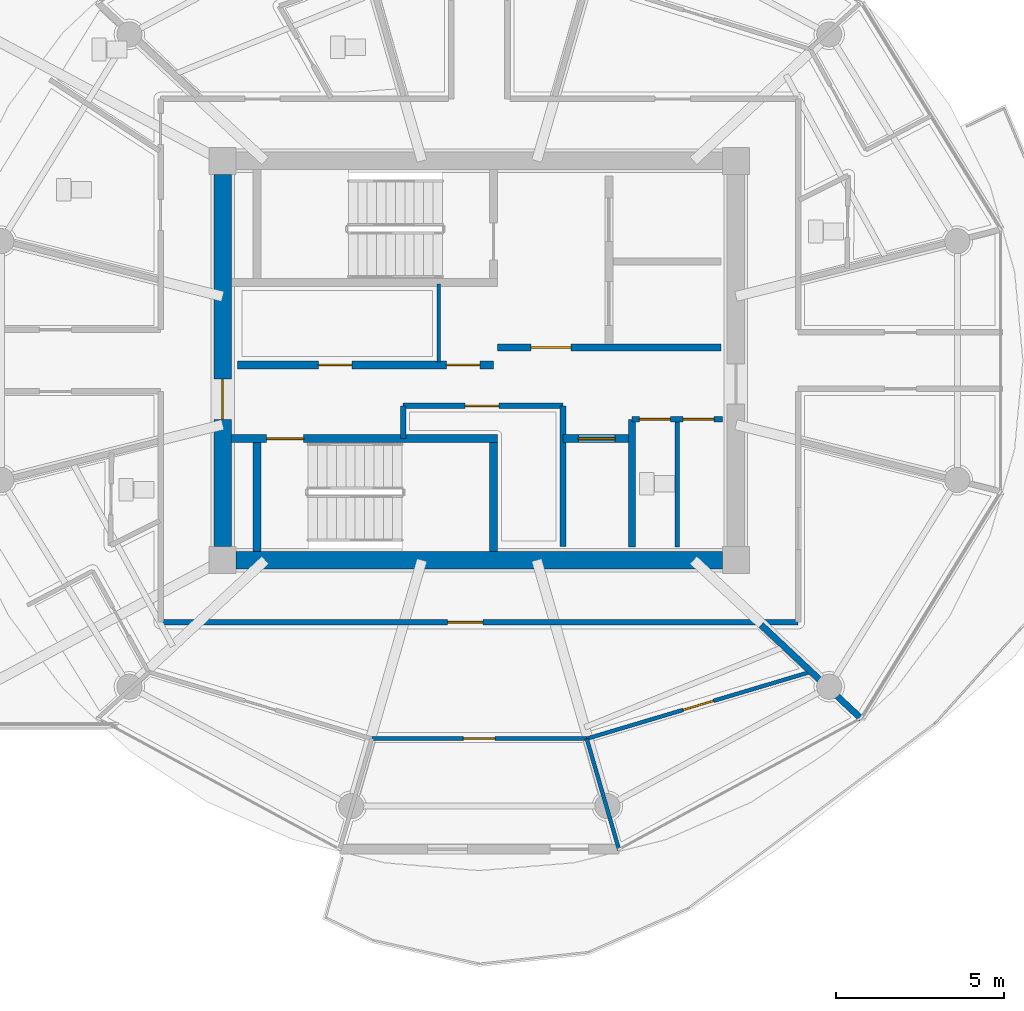
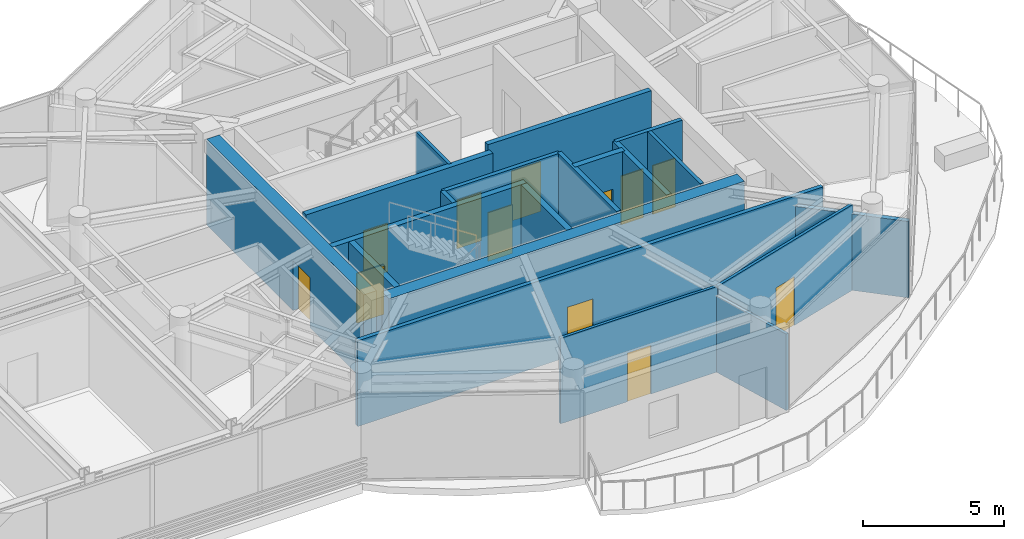
# One storey, part 18 of 31: 20 walls, 12 doors, 12 openings.
"""IFC4 building model written with IfcOpenShell, lengths in metres."""

from ifc_helpers import new_model, si_unit, direction, frame, frame_2d, origin, place, context, subcontext, project, spatial, rectangle, extrude, source, transform, mapped, material, layer, layer_set, type_object, type_shapes, element, fill, save


model = new_model("IFC4")

# Units and contexts
model_context = context("Model", 3, precision=1e-05, world=origin(), true_north=direction((0.0, 1.0)))
body_context = subcontext(model_context, "Body", "Model", "MODEL_VIEW")
ifc_project = project(units=[si_unit("LENGTHUNIT", "METRE"), si_unit("AREAUNIT", "SQUARE_METRE"), si_unit("VOLUMEUNIT", "CUBIC_METRE"), si_unit("PLANEANGLEUNIT", "RADIAN"), si_unit("MASSUNIT", "GRAM", prefix="KILO")], contexts=[model_context])

# Site, building, storey
site_placement = place(None, origin())
site = spatial("IfcSite", under=ifc_project, at=site_placement, CompositionType="ELEMENT")
building_placement = place(site_placement, origin())
building = spatial("IfcBuilding", under=site, at=building_placement, Name="Norrkilde Senior Care Towers", CompositionType="ELEMENT")
storey_placement = place(building_placement, frame((0.0, 0.0, 199.800048828125)))
storey = spatial("IfcBuildingStorey", under=building, at=storey_placement, Name="L62", CompositionType="ELEMENT", Elevation=199.800048828125)

# Wall
ifc_material_1 = material(Name="Concrete C50/60", Category="concrete")
ifc_layer_1 = layer(ifc_material_1, 0.52001953125)
ifc_layer_set_1 = layer_set([ifc_layer_1], Name="Concrete C50/60")
wall_type_1 = type_object("IfcWallType", Name="Core Shear Wall Z4 520", PredefinedType="SHEAR", material=ifc_layer_set_1)
shared_shape_1 = source(origin(), body_context, "Body", "SweptSolid", [
    extrude(rectangle(XDim=14.5, YDim=0.52001953125, at=frame_2d((7.25, 0.0))), origin(), (0.0, 0.0, 1.0), 3.7099609375),
])
wall_1_placement = place(storey_placement, frame((35.25, -5.949951171875, 0.0), z_axis=(0.0, 0.0, 1.0), x_axis=(-1.0, 0.0, 0.0)))
element("IfcWall", 1, at=wall_1_placement, inside=storey, type_object=wall_type_1, Name="L62 Core E South Shear Wall", PredefinedType="SHEAR", context=body_context, shape_type="MappedRepresentation", body=[
    mapped(shared_shape_1, transform((0.0, 0.0, 0.0), x_axis=(1.0, 0.0, 0.0), y_axis=(0.0, 1.0, 0.0), z_axis=(0.0, 0.0, 1.0), scale=1.0)),
])

# Wall, opening, door
shared_shape_2 = source(origin(), body_context, "Body", "SweptSolid", [
    extrude(rectangle(XDim=11.10009765625, YDim=0.52001953125, at=frame_2d((5.550048828125, 0.0))), origin(), (0.0, 0.0, 1.0), 3.7099609375),
])
type_shapes(wall_type_1, [shared_shape_1, shared_shape_2])
wall_2_placement = place(storey_placement, frame((20.35009765625, -5.550048828125, 0.0), z_axis=(0.0, 0.0, 1.0), x_axis=(0.0, 1.0, 0.0)))
wall_2 = element("IfcWall", 2, at=wall_2_placement, inside=storey, type_object=wall_type_1, Name="L62 Core E West Shear Wall", PredefinedType="SHEAR", context=body_context, shape_type="MappedRepresentation", body=[
    mapped(shared_shape_2, transform((0.0, 0.0, 0.0), x_axis=(1.0, 0.0, 0.0), y_axis=(0.0, 1.0, 0.0), z_axis=(0.0, 0.0, 1.0), scale=1.0)),
])
opening_1_placement = place(wall_2_placement, frame((3.800048828125, 0.0, 0.0)))
opening_1 = element("IfcOpeningElement", 3, at=opening_1_placement, cuts=wall_2, Name="Opening D-04", PredefinedType="OPENING", context=body_context, shape_type="SweptSolid", body=[
    extrude(rectangle(XDim=1.199951171875, YDim=2.14990234375, at=frame_2d((0.60009765625, 1.074951171875))), frame((0.0, 0.27001953125, 0.0), z_axis=(0.0, -1.0, 0.0), x_axis=(1.0, 0.0, 0.0)), (0.0, 0.0, 1.0), 0.5400390625),
])
ifc_material_2 = material(Name="Galvanised Painted Steel", Category="steel")
door_type_1 = type_object("IfcDoorType", Name="Firefighting Lobby Fire Door 1200x2150", OperationType="NOTDEFINED", PredefinedType="DOOR", material=ifc_material_2)
shared_shape_3 = source(origin(), body_context, "Body", "SweptSolid", [
    extrude(rectangle(XDim=1.199951171875, YDim=2.14990234375, at=frame_2d((0.60009765625, 1.074951171875))), frame((0.0, 0.02490234375, 0.0), z_axis=(0.0, -1.0, 0.0), x_axis=(1.0, 0.0, 0.0)), (0.0, 0.0, 1.0), 0.050048828125),
])
type_shapes(door_type_1, [shared_shape_3])
door_1_placement = place(opening_1_placement, frame((1.199951171875, 0.0, 0.0), z_axis=(0.0, 0.0, 1.0), x_axis=(-1.0, 0.0, 0.0)))
door_1 = element("IfcDoor", 4, at=door_1_placement, inside=storey, type_object=door_type_1, Name="L62 Core E West Portal Door", OperationType="SINGLE_SWING_LEFT", OverallHeight=2.14990234375, OverallWidth=1.199951171875, PredefinedType="DOOR", context=body_context, shape_type="MappedRepresentation", body=[
    mapped(shared_shape_3, transform((0.0, 0.0, 0.0), x_axis=(1.0, 0.0, 0.0), y_axis=(0.0, 1.0, 0.0), z_axis=(0.0, 0.0, 1.0), scale=1.0)),
])
fill(opening_1, door_1)

ifc_material_3 = material(Name="Concrete C45/55", Category="concrete")
ifc_layer_2 = layer(ifc_material_3, 0.239990234375)
ifc_layer_set_2 = layer_set([ifc_layer_2], Name="Concrete C45/55")
wall_type_2 = type_object("IfcWallType", Name="Shaft and Stair Enclosure Wall 240", PredefinedType="PARTITIONING", material=ifc_layer_set_2)
shared_shape_4 = source(origin(), body_context, "Body", "SweptSolid", [
    extrude(rectangle(XDim=7.929931640625, YDim=0.239990234375, at=frame_2d((3.96484375, 0.0))), origin(), (0.0, 0.0, 1.0), 3.7099609375),
])
wall_3_placement = place(storey_placement, frame((20.610107421875, -2.330078125, 0.0), z_axis=(0.0, 0.0, 1.0), x_axis=(1.0, 0.0, 0.0)))
wall_3 = element("IfcWall", 5, at=wall_3_placement, inside=storey, type_object=wall_type_2, Name="WL-INT-L62-E-ST2N", PredefinedType="PARTITIONING", context=body_context, shape_type="MappedRepresentation", body=[
    mapped(shared_shape_4, transform((0.0, 0.0, 0.0), x_axis=(1.0, 0.0, 0.0), y_axis=(0.0, 1.0, 0.0), z_axis=(0.0, 0.0, 1.0), scale=1.0)),
])
opening_2_placement = place(wall_3_placement, frame((1.050048828125, 0.0, 0.0)))
opening_2 = element("IfcOpeningElement", 6, at=opening_2_placement, cuts=wall_3, Name="Opening D-03", PredefinedType="OPENING", context=body_context, shape_type="SweptSolid", body=[
    extrude(rectangle(XDim=1.10009765625, YDim=2.14990234375, at=frame_2d((0.550048828125, 1.074951171875))), frame((0.0, 0.1298828125, 0.0), z_axis=(0.0, -1.0, 0.0), x_axis=(1.0, 0.0, 0.0)), (0.0, 0.0, 1.0), 0.260009765625),
])
door_type_2 = type_object("IfcDoorType", Name="Stairwell Protected Fire Door 1100x2150", OperationType="NOTDEFINED", PredefinedType="DOOR", material=ifc_material_2)
shared_shape_5 = source(origin(), body_context, "Body", "SweptSolid", [
    extrude(rectangle(XDim=1.10009765625, YDim=2.14990234375, at=frame_2d((0.550048828125, 1.074951171875))), frame((0.0, 0.02490234375, 0.0), z_axis=(0.0, -1.0, 0.0), x_axis=(1.0, 0.0, 0.0)), (0.0, 0.0, 1.0), 0.050048828125),
])
type_shapes(door_type_2, [shared_shape_5])
door_2_placement = place(opening_2_placement, frame((1.10009765625, 0.0, 0.0), z_axis=(0.0, 0.0, 1.0), x_axis=(-1.0, 0.0, 0.0)))
door_2 = element("IfcDoor", 7, at=door_2_placement, inside=storey, type_object=door_type_2, Name="L62 Stair E2 Fire Door", OperationType="SINGLE_SWING_RIGHT", OverallHeight=2.14990234375, OverallWidth=1.10009765625, PredefinedType="DOOR", context=body_context, shape_type="MappedRepresentation", body=[
    mapped(shared_shape_5, transform((0.0, 0.0, 0.0), x_axis=(1.0, 0.0, 0.0), y_axis=(0.0, 1.0, 0.0), z_axis=(0.0, 0.0, 1.0), scale=1.0)),
])
fill(opening_2, door_2)

# Walls
shared_shape_6 = source(origin(), body_context, "Body", "SweptSolid", [
    extrude(rectangle(XDim=3.239990234375, YDim=0.239990234375, at=frame_2d((1.6201171875, 0.0))), origin(), (0.0, 0.0, 1.0), 3.7099609375),
])
type_shapes(wall_type_2, [shared_shape_4, shared_shape_6])
for number, where, z_axis, x_axis, name in (
    (8, (21.3798828125, -5.68994140625, 0.0), (0.0, 0.0, 1.0), (0.0, 1.0, 0.0), "WL-INT-L62-E-ST2W"),
    (9, (28.419921875, -5.68994140625, 0.0), (0.0, 0.0, 1.0), (0.0, 1.0, 0.0), "WL-INT-L62-E-ST2E"),
):
    element("IfcWall", number, at=place(storey_placement, frame(where, z_axis=z_axis, x_axis=x_axis)), inside=storey, type_object=wall_type_2, Name=name, PredefinedType="PARTITIONING", context=body_context, shape_type="MappedRepresentation", body=[
        mapped(shared_shape_6, transform((0.0, 0.0, 0.0), x_axis=(1.0, 0.0, 0.0), y_axis=(0.0, 1.0, 0.0), z_axis=(0.0, 0.0, 1.0), scale=1.0)),
    ])

# Wall, opening, door
ifc_layer_3 = layer(ifc_material_3, 0.2099609375)
ifc_layer_set_3 = layer_set([ifc_layer_3], Name="Concrete C45/55")
wall_type_3 = type_object("IfcWallType", Name="Firefighting Lobby Wall 210", PredefinedType="PARTITIONING", material=ifc_layer_set_3)
shared_shape_7 = source(origin(), body_context, "Body", "SweptSolid", [
    extrude(rectangle(XDim=6.659912109375, YDim=0.2099609375, at=frame_2d((3.330078125, 0.0))), origin(), (0.0, 0.0, 1.0), 3.695068359375),
])
type_shapes(wall_type_3, [shared_shape_7])
wall_4_placement = place(storey_placement, frame((28.5400390625, 0.389892578125, 0.0), z_axis=(0.0, 0.0, 1.0), x_axis=(1.0, 0.0, 0.0)))
wall_4 = element("IfcWall", 10, at=wall_4_placement, inside=storey, type_object=wall_type_3, Name="WL-INT-L62-E-FFLS", PredefinedType="PARTITIONING", context=body_context, shape_type="MappedRepresentation", body=[
    mapped(shared_shape_7, transform((0.0, 0.0, 0.0), x_axis=(1.0, 0.0, 0.0), y_axis=(0.0, 1.0, 0.0), z_axis=(0.0, 0.0, 1.0), scale=1.0)),
])
opening_3_placement = place(wall_4_placement, frame((1.0, 0.0, 0.0)))
opening_3 = element("IfcOpeningElement", 11, at=opening_3_placement, cuts=wall_4, Name="Opening D-04", PredefinedType="OPENING", context=body_context, shape_type="SweptSolid", body=[
    extrude(rectangle(XDim=1.199951171875, YDim=2.14990234375, at=frame_2d((0.60009765625, 1.074951171875))), frame((0.0, 0.114990234375, 0.0), z_axis=(0.0, -1.0, 0.0), x_axis=(1.0, 0.0, 0.0)), (0.0, 0.0, 1.0), 0.22998046875),
])
door_3_placement = place(opening_3_placement, frame((1.199951171875, 0.0, 0.0), z_axis=(0.0, 0.0, 1.0), x_axis=(-1.0, 0.0, 0.0)))
door_3 = element("IfcDoor", 12, at=door_3_placement, inside=storey, type_object=door_type_1, Name="L62 Firefighting Lobby E Door", OperationType="SINGLE_SWING_LEFT", OverallHeight=2.14990234375, OverallWidth=1.199951171875, PredefinedType="DOOR", context=body_context, shape_type="MappedRepresentation", body=[
    mapped(shared_shape_3, transform((0.0, 0.0, 0.0), x_axis=(1.0, 0.0, 0.0), y_axis=(0.0, 1.0, 0.0), z_axis=(0.0, 0.0, 1.0), scale=1.0)),
])
fill(opening_3, door_3)

# Wall, openings, doors
ifc_layer_4 = layer(ifc_material_3, 0.239990234375)
ifc_layer_set_4 = layer_set([ifc_layer_4], Name="Concrete C45/55")
wall_type_4 = type_object("IfcWallType", Name="Lift and Plant Rated Enclosure Partition 240", PredefinedType="PARTITIONING", material=ifc_layer_set_4)
shared_shape_8 = source(origin(), body_context, "Body", "SweptSolid", [
    extrude(rectangle(XDim=7.619873046875, YDim=0.239990234375, at=frame_2d((3.81005859375, 0.0))), origin(), (0.0, 0.0, 1.0), 3.695068359375),
])
wall_5_placement = place(storey_placement, frame((20.800048828125, -0.1298828125, 0.0), z_axis=(0.0, 0.0, 1.0), x_axis=(1.0, 0.0, 0.0)))
wall_5 = element("IfcWall", 13, at=wall_5_placement, inside=storey, type_object=wall_type_4, Name="WL-INT-L62-E-PKAS", PredefinedType="PARTITIONING", context=body_context, shape_type="MappedRepresentation", body=[
    mapped(shared_shape_8, transform((0.0, 0.0, 0.0), x_axis=(1.0, 0.0, 0.0), y_axis=(0.0, 1.0, 0.0), z_axis=(0.0, 0.0, 1.0), scale=1.0)),
])
opening_4_placement = place(wall_5_placement, frame((6.219970703125, 0.0, 0.0)))
opening_4 = element("IfcOpeningElement", 14, at=opening_4_placement, cuts=wall_5, Name="Opening D-10", PredefinedType="OPENING", context=body_context, shape_type="SweptSolid", body=[
    extrude(rectangle(XDim=1.0, YDim=2.10009765625, at=frame_2d((0.5, 1.050048828125))), frame((0.0, 0.1298828125, 0.0), z_axis=(0.0, -1.0, 0.0), x_axis=(1.0, 0.0, 0.0)), (0.0, 0.0, 1.0), 0.260009765625),
])
opening_5_placement = place(wall_5_placement, frame((2.39990234375, 0.0, 0.0)))
opening_5 = element("IfcOpeningElement", 15, at=opening_5_placement, cuts=wall_5, Name="Opening D-10", PredefinedType="OPENING", context=body_context, shape_type="SweptSolid", body=[
    extrude(rectangle(XDim=1.0, YDim=2.10009765625, at=frame_2d((0.5, 1.050048828125))), frame((0.0, 0.1298828125, 0.0), z_axis=(0.0, -1.0, 0.0), x_axis=(1.0, 0.0, 0.0)), (0.0, 0.0, 1.0), 0.260009765625),
])
door_type_3 = type_object("IfcDoorType", Name="Plant and Riser Rated Door 1000x2100", OperationType="NOTDEFINED", PredefinedType="DOOR", material=ifc_material_2)
shared_shape_9 = source(origin(), body_context, "Body", "SweptSolid", [
    extrude(rectangle(XDim=1.0, YDim=2.10009765625, at=frame_2d((0.5, 1.050048828125))), frame((0.0, 0.02490234375, 0.0), z_axis=(0.0, -1.0, 0.0), x_axis=(1.0, 0.0, 0.0)), (0.0, 0.0, 1.0), 0.050048828125),
])
type_shapes(door_type_3, [shared_shape_9])
door_4_placement = place(opening_4_placement, frame((1.0, 0.0, 0.0), z_axis=(0.0, 0.0, 1.0), x_axis=(-1.0, 0.0, 0.0)))
door_4 = element("IfcDoor", 16, at=door_4_placement, inside=storey, type_object=door_type_3, Name="L62 Electrical Riser E Door", OperationType="SINGLE_SWING_LEFT", OverallHeight=2.10009765625, OverallWidth=1.0, PredefinedType="DOOR", context=body_context, shape_type="MappedRepresentation", body=[
    mapped(shared_shape_9, transform((0.0, 0.0, 0.0), x_axis=(1.0, 0.0, 0.0), y_axis=(0.0, 1.0, 0.0), z_axis=(0.0, 0.0, 1.0), scale=1.0)),
])
fill(opening_4, door_4)
door_5_placement = place(opening_5_placement, frame((1.0, 0.0, 0.0), z_axis=(0.0, 0.0, 1.0), x_axis=(-1.0, 0.0, 0.0)))
door_5 = element("IfcDoor", 17, at=door_5_placement, inside=storey, type_object=door_type_3, Name="L62 Clean Supply Store E Door", OperationType="SINGLE_SWING_LEFT", OverallHeight=2.10009765625, OverallWidth=1.0, PredefinedType="DOOR", context=body_context, shape_type="MappedRepresentation", body=[
    mapped(shared_shape_9, transform((0.0, 0.0, 0.0), x_axis=(1.0, 0.0, 0.0), y_axis=(0.0, 1.0, 0.0), z_axis=(0.0, 0.0, 1.0), scale=1.0)),
])
fill(opening_5, door_5)

# Walls
ifc_material_4 = material(Name="Gypsum Acoustic Board")
ifc_layer_5 = layer(ifc_material_4, 0.114990234375)
ifc_layer_set_5 = layer_set([ifc_layer_5], Name="Gypsum Acoustic Board")
wall_type_5 = type_object("IfcWallType", Name="Internal Room Partition 115", PredefinedType="PARTITIONING", material=ifc_layer_set_5)
shared_shape_10 = source(origin(), body_context, "Body", "SweptSolid", [
    extrude(rectangle(XDim=2.330078125, YDim=0.114990234375, at=frame_2d((1.1650390625, 0.0))), origin(), (0.0, 0.0, 1.0), 3.695068359375),
])
wall_6_placement = place(storey_placement, frame((26.7900390625, -0.050048828125, 0.0), z_axis=(0.0, 0.0, 1.0), x_axis=(0.0, 1.0, 0.0)))
element("IfcWall", 18, at=wall_6_placement, inside=storey, type_object=wall_type_5, Name="WL-INT-L62-E-RISW", PredefinedType="PARTITIONING", context=body_context, shape_type="MappedRepresentation", body=[
    mapped(shared_shape_10, transform((0.0, 0.0, 0.0), x_axis=(1.0, 0.0, 0.0), y_axis=(0.0, 1.0, 0.0), z_axis=(0.0, 0.0, 1.0), scale=1.0)),
])
ifc_layer_6 = layer(ifc_material_3, 0.199951171875)
ifc_layer_set_6 = layer_set([ifc_layer_6], Name="Concrete C45/55")
wall_type_6 = type_object("IfcWallType", Name="Shaft Division and Plant Partition 200", PredefinedType="PARTITIONING", material=ifc_layer_set_6)
shared_shape_11 = source(origin(), body_context, "Body", "SweptSolid", [
    extrude(rectangle(XDim=3.800048828125, YDim=0.199951171875, at=frame_2d((1.89990234375, 0.0))), origin(), (0.0, 0.0, 1.0), 3.695068359375),
])
type_shapes(wall_type_6, [shared_shape_11])
wall_7_placement = place(storey_placement, frame((32.550048828125, -5.550048828125, 0.0), z_axis=(0.0, 0.0, 1.0), x_axis=(0.0, 1.0, 0.0)))
element("IfcWall", 19, at=wall_7_placement, inside=storey, type_object=wall_type_6, Name="WL-INT-L62-E-PKBE", PredefinedType="PARTITIONING", context=body_context, shape_type="MappedRepresentation", body=[
    mapped(shared_shape_11, transform((0.0, 0.0, 0.0), x_axis=(1.0, 0.0, 0.0), y_axis=(0.0, 1.0, 0.0), z_axis=(0.0, 0.0, 1.0), scale=1.0)),
])

# Wall, opening, door
shared_shape_12 = source(origin(), body_context, "Body", "SweptSolid", [
    extrude(rectangle(XDim=2.050048828125, YDim=0.239990234375, at=frame_2d((1.02490234375, 0.0))), origin(), (0.0, 0.0, 1.0), 3.695068359375),
])
type_shapes(wall_type_4, [shared_shape_8, shared_shape_12])
wall_8_placement = place(storey_placement, frame((30.5, -2.330078125, 0.0), z_axis=(0.0, 0.0, 1.0), x_axis=(1.0, 0.0, 0.0)))
wall_8 = element("IfcWall", 20, at=wall_8_placement, inside=storey, type_object=wall_type_4, Name="WL-INT-L62-E-PL4N", PredefinedType="PARTITIONING", context=body_context, shape_type="MappedRepresentation", body=[
    mapped(shared_shape_12, transform((0.0, 0.0, 0.0), x_axis=(1.0, 0.0, 0.0), y_axis=(0.0, 1.0, 0.0), z_axis=(0.0, 0.0, 1.0), scale=1.0)),
])
opening_6_placement = place(wall_8_placement, frame((0.449951171875, 0.0, 0.0)))
opening_6 = element("IfcOpeningElement", 21, at=opening_6_placement, cuts=wall_8, Name="Opening LD-01", PredefinedType="OPENING", context=body_context, shape_type="SweptSolid", body=[
    extrude(rectangle(XDim=1.10009765625, YDim=2.199951171875, at=frame_2d((0.550048828125, 1.10009765625))), frame((0.0, 0.1298828125, 0.0), z_axis=(0.0, -1.0, 0.0), x_axis=(1.0, 0.0, 0.0)), (0.0, 0.0, 1.0), 0.260009765625),
])
ifc_material_5 = material(Name="Stainless Steel", Category="steel")
door_type_4 = type_object("IfcDoorType", Name="Lift Landing Sliding Door 1100x2200", OperationType="NOTDEFINED", PredefinedType="DOOR", material=ifc_material_5)
shared_shape_13 = source(origin(), body_context, "Body", "SweptSolid", [
    extrude(rectangle(XDim=1.10009765625, YDim=2.199951171875, at=frame_2d((0.550048828125, 1.10009765625))), frame((0.0, 0.02490234375, 0.0), z_axis=(0.0, -1.0, 0.0), x_axis=(1.0, 0.0, 0.0)), (0.0, 0.0, 1.0), 0.050048828125),
])
type_shapes(door_type_4, [shared_shape_13])
door_6_placement = place(opening_6_placement, frame((1.10009765625, 0.0, 0.0), z_axis=(0.0, 0.0, 1.0), x_axis=(-1.0, 0.0, 0.0)))
door_6 = element("IfcDoor", 22, at=door_6_placement, inside=storey, type_object=door_type_4, Name="L62 Passenger Lift E4 Landing Door", OperationType="SLIDING_TO_RIGHT", OverallHeight=2.199951171875, OverallWidth=1.10009765625, PredefinedType="DOOR", context=body_context, shape_type="MappedRepresentation", body=[
    mapped(shared_shape_13, transform((0.0, 0.0, 0.0), x_axis=(1.0, 0.0, 0.0), y_axis=(0.0, 1.0, 0.0), z_axis=(0.0, 0.0, 1.0), scale=1.0)),
])
fill(opening_6, door_6)

# Wall
ifc_layer_7 = layer(ifc_material_3, 0.179931640625)
ifc_layer_set_7 = layer_set([ifc_layer_7], Name="Concrete C45/55")
wall_type_7 = type_object("IfcWallType", Name="Hoistway Division Rated Partition 180", PredefinedType="PARTITIONING", material=ifc_layer_set_7)
shared_shape_14 = source(origin(), body_context, "Body", "SweptSolid", [
    extrude(rectangle(XDim=4.199951171875, YDim=0.179931640625, at=frame_2d((2.10009765625, 0.0))), origin(), (0.0, 0.0, 1.0), 3.695068359375),
])
type_shapes(wall_type_7, [shared_shape_14])
wall_9_placement = place(storey_placement, frame((30.5, -5.550048828125, 0.0), z_axis=(0.0, 0.0, 1.0), x_axis=(0.0, 1.0, 0.0)))
element("IfcWall", 23, at=wall_9_placement, inside=storey, type_object=wall_type_7, Name="WL-INT-L62-E-PL4W", PredefinedType="PARTITIONING", context=body_context, shape_type="MappedRepresentation", body=[
    mapped(shared_shape_14, transform((0.0, 0.0, 0.0), x_axis=(1.0, 0.0, 0.0), y_axis=(0.0, 1.0, 0.0), z_axis=(0.0, 0.0, 1.0), scale=1.0)),
])

# Wall, opening, door
ifc_layer_8 = layer(ifc_material_4, 0.1650390625)
ifc_layer_set_8 = layer_set([ifc_layer_8], Name="Gypsum Acoustic Board")
wall_type_8 = type_object("IfcWallType", Name="Corridor Rated Partition 165", PredefinedType="PARTITIONING", material=ifc_layer_set_8)
shared_shape_15 = source(origin(), body_context, "Body", "SweptSolid", [
    extrude(rectangle(XDim=4.77001953125, YDim=0.1650390625, at=frame_2d((2.385009765625, 0.0))), origin(), (0.0, 0.0, 1.0), 3.695068359375),
])
wall_10_placement = place(storey_placement, frame((25.72998046875, -1.35009765625, 0.0), z_axis=(0.0, 0.0, 1.0), x_axis=(1.0, 0.0, 0.0)))
wall_10 = element("IfcWall", 24, at=wall_10_placement, inside=storey, type_object=wall_type_8, Name="WL-INT-L62-E-FR2N", PredefinedType="PARTITIONING", context=body_context, shape_type="MappedRepresentation", body=[
    mapped(shared_shape_15, transform((0.0, 0.0, 0.0), x_axis=(1.0, 0.0, 0.0), y_axis=(0.0, 1.0, 0.0), z_axis=(0.0, 0.0, 1.0), scale=1.0)),
])
opening_7_placement = place(wall_10_placement, frame((1.85009765625, 0.0, 0.0)))
opening_7 = element("IfcOpeningElement", 25, at=opening_7_placement, cuts=wall_10, Name="Opening D-10", PredefinedType="OPENING", context=body_context, shape_type="SweptSolid", body=[
    extrude(rectangle(XDim=1.0, YDim=2.10009765625, at=frame_2d((0.5, 1.050048828125))), frame((0.0, 0.092529296875, 0.0), z_axis=(0.0, -1.0, 0.0), x_axis=(1.0, 0.0, 0.0)), (0.0, 0.0, 1.0), 0.18505859375),
])
door_7_placement = place(opening_7_placement, origin())
door_7 = element("IfcDoor", 26, at=door_7_placement, inside=storey, type_object=door_type_3, Name="L62 Core Pantry E Door", OperationType="SINGLE_SWING_RIGHT", OverallHeight=2.10009765625, OverallWidth=1.0, PredefinedType="DOOR", context=body_context, shape_type="MappedRepresentation", body=[
    mapped(shared_shape_9, transform((0.0, 0.0, 0.0), x_axis=(1.0, 0.0, 0.0), y_axis=(0.0, 1.0, 0.0), z_axis=(0.0, 0.0, 1.0), scale=1.0)),
])
fill(opening_7, door_7)

# Wall
shared_shape_16 = source(origin(), body_context, "Body", "SweptSolid", [
    extrude(rectangle(XDim=0.97998046875, YDim=0.1650390625, at=frame_2d((0.489990234375, 0.0))), origin(), (0.0, 0.0, 1.0), 3.695068359375),
])
wall_11_placement = place(storey_placement, frame((25.72998046875, -2.330078125, 0.0), z_axis=(0.0, 0.0, 1.0), x_axis=(0.0, 1.0, 0.0)))
element("IfcWall", 27, at=wall_11_placement, inside=storey, type_object=wall_type_8, Name="WL-INT-L62-E-FR2W", PredefinedType="PARTITIONING", context=body_context, shape_type="MappedRepresentation", body=[
    mapped(shared_shape_16, transform((0.0, 0.0, 0.0), x_axis=(1.0, 0.0, 0.0), y_axis=(0.0, 1.0, 0.0), z_axis=(0.0, 0.0, 1.0), scale=1.0)),
])

# Wall, openings, doors
shared_shape_17 = source(origin(), body_context, "Body", "SweptSolid", [
    extrude(rectangle(XDim=2.699951171875, YDim=0.1650390625, at=frame_2d((1.35009765625, 0.0))), origin(), (0.0, 0.0, 1.0), 3.695068359375),
])
wall_12_placement = place(storey_placement, frame((32.550048828125, -1.75, 0.0), z_axis=(0.0, 0.0, 1.0), x_axis=(1.0, 0.0, 0.0)))
wall_12 = element("IfcWall", 28, at=wall_12_placement, inside=storey, type_object=wall_type_8, Name="WL-INT-L62-E-CSN", PredefinedType="PARTITIONING", context=body_context, shape_type="MappedRepresentation", body=[
    mapped(shared_shape_17, transform((0.0, 0.0, 0.0), x_axis=(1.0, 0.0, 0.0), y_axis=(0.0, 1.0, 0.0), z_axis=(0.0, 0.0, 1.0), scale=1.0)),
])
opening_8_placement = place(wall_12_placement, frame((0.222412109375, 0.0, 0.0)))
opening_8 = element("IfcOpeningElement", 29, at=opening_8_placement, cuts=wall_12, Name="Opening D-12", PredefinedType="OPENING", context=body_context, shape_type="SweptSolid", body=[
    extrude(rectangle(XDim=0.925048828125, YDim=2.10009765625, at=frame_2d((0.46240234375, 1.050048828125))), frame((0.0, 0.092529296875, 0.0), z_axis=(0.0, -1.0, 0.0), x_axis=(1.0, 0.0, 0.0)), (0.0, 0.0, 1.0), 0.18505859375),
])
opening_9_placement = place(wall_12_placement, frame((1.5224609375, 0.0, 0.0)))
opening_9 = element("IfcOpeningElement", 30, at=opening_9_placement, cuts=wall_12, Name="Opening D-12", PredefinedType="OPENING", context=body_context, shape_type="SweptSolid", body=[
    extrude(rectangle(XDim=0.925048828125, YDim=2.10009765625, at=frame_2d((0.46240234375, 1.050048828125))), frame((0.0, 0.092529296875, 0.0), z_axis=(0.0, -1.0, 0.0), x_axis=(1.0, 0.0, 0.0)), (0.0, 0.0, 1.0), 0.18505859375),
])
door_type_5 = type_object("IfcDoorType", Name="Core Wet Room Rated Door 925x2100", OperationType="NOTDEFINED", PredefinedType="DOOR", material=ifc_material_2)
shared_shape_18 = source(origin(), body_context, "Body", "SweptSolid", [
    extrude(rectangle(XDim=0.925048828125, YDim=2.10009765625, at=frame_2d((0.46240234375, 1.050048828125))), frame((0.0, 0.02490234375, 0.0), z_axis=(0.0, -1.0, 0.0), x_axis=(1.0, 0.0, 0.0)), (0.0, 0.0, 1.0), 0.050048828125),
])
type_shapes(door_type_5, [shared_shape_18])
door_8_placement = place(opening_8_placement, origin())
door_8 = element("IfcDoor", 31, at=door_8_placement, inside=storey, type_object=door_type_5, Name="L62 Staff Accessible WC E Door", OperationType="SINGLE_SWING_LEFT", OverallHeight=2.10009765625, OverallWidth=0.925048828125, PredefinedType="DOOR", context=body_context, shape_type="MappedRepresentation", body=[
    mapped(shared_shape_18, transform((0.0, 0.0, 0.0), x_axis=(1.0, 0.0, 0.0), y_axis=(0.0, 1.0, 0.0), z_axis=(0.0, 0.0, 1.0), scale=1.0)),
])
fill(opening_8, door_8)
door_9_placement = place(opening_9_placement, origin())
door_9 = element("IfcDoor", 32, at=door_9_placement, inside=storey, type_object=door_type_5, Name="L62 Housekeeping Store E Door", OperationType="SINGLE_SWING_RIGHT", OverallHeight=2.10009765625, OverallWidth=0.925048828125, PredefinedType="DOOR", context=body_context, shape_type="MappedRepresentation", body=[
    mapped(shared_shape_18, transform((0.0, 0.0, 0.0), x_axis=(1.0, 0.0, 0.0), y_axis=(0.0, 1.0, 0.0), z_axis=(0.0, 0.0, 1.0), scale=1.0)),
])
fill(opening_9, door_9)

# Wall
ifc_layer_9 = layer(ifc_material_4, 0.139892578125)
ifc_layer_set_9 = layer_set([ifc_layer_9], Name="Gypsum Acoustic Board")
wall_type_9 = type_object("IfcWallType", Name="En-suite Wet Room Wall 140", PredefinedType="PARTITIONING", material=ifc_layer_set_9)
shared_shape_19 = source(origin(), body_context, "Body", "SweptSolid", [
    extrude(rectangle(XDim=3.800048828125, YDim=0.139892578125, at=frame_2d((1.89990234375, 0.0))), origin(), (0.0, 0.0, 1.0), 3.695068359375),
])
type_shapes(wall_type_9, [shared_shape_19])
wall_13_placement = place(storey_placement, frame((33.89990234375, -5.550048828125, 0.0), z_axis=(0.0, 0.0, 1.0), x_axis=(0.0, 1.0, 0.0)))
element("IfcWall", 33, at=wall_13_placement, inside=storey, type_object=wall_type_9, Name="WL-INT-L62-E-CS1V", PredefinedType="PARTITIONING", context=body_context, shape_type="MappedRepresentation", body=[
    mapped(shared_shape_19, transform((0.0, 0.0, 0.0), x_axis=(1.0, 0.0, 0.0), y_axis=(0.0, 1.0, 0.0), z_axis=(0.0, 0.0, 1.0), scale=1.0)),
])

# Wall, opening, door
shared_shape_20 = source(origin(), body_context, "Body", "SweptSolid", [
    extrude(rectangle(XDim=19.0, YDim=0.1650390625, at=frame_2d((9.5, 0.0))), origin(), (0.0, 0.0, 1.0), 3.695068359375),
])
type_shapes(wall_type_8, [shared_shape_15, shared_shape_16, shared_shape_17, shared_shape_20])
wall_14_placement = place(storey_placement, frame((37.5, -7.800048828125, 0.0), z_axis=(0.0, 0.0, 1.0), x_axis=(-1.0, 0.0, 0.0)))
wall_14 = element("IfcWall", 34, at=wall_14_placement, inside=storey, type_object=wall_type_8, Name="WL-INT-L62-E-CRW-S-0", PredefinedType="PARTITIONING", context=body_context, shape_type="MappedRepresentation", body=[
    mapped(shared_shape_20, transform((0.0, 0.0, 0.0), x_axis=(1.0, 0.0, 0.0), y_axis=(0.0, 1.0, 0.0), z_axis=(0.0, 0.0, 1.0), scale=1.0)),
])
opening_10_placement = place(wall_14_placement, frame((9.39208984375, 0.0, 0.0)))
opening_10 = element("IfcOpeningElement", 35, at=opening_10_placement, cuts=wall_14, Name="Opening D-06", PredefinedType="OPENING", context=body_context, shape_type="SweptSolid", body=[
    extrude(rectangle(XDim=1.050048828125, YDim=2.14990234375, at=frame_2d((0.52490234375, 1.074951171875))), frame((0.0, 0.092529296875, 0.0), z_axis=(0.0, -1.0, 0.0), x_axis=(1.0, 0.0, 0.0)), (0.0, 0.0, 1.0), 0.18505859375),
])
ifc_material_6 = material(Name="Nordic Ash Timber", Category="wood")
door_type_6 = type_object("IfcDoorType", Name="Apartment Entrance Fire Door 1050x2150", OperationType="NOTDEFINED", PredefinedType="DOOR", material=ifc_material_6)
shared_shape_21 = source(origin(), body_context, "Body", "SweptSolid", [
    extrude(rectangle(XDim=1.050048828125, YDim=2.14990234375, at=frame_2d((0.52490234375, 1.074951171875))), frame((0.0, 0.02490234375, 0.0), z_axis=(0.0, -1.0, 0.0), x_axis=(1.0, 0.0, 0.0)), (0.0, 0.0, 1.0), 0.050048828125),
])
type_shapes(door_type_6, [shared_shape_21])
door_10_placement = place(opening_10_placement, frame((1.050048828125, 0.0, 0.0), z_axis=(0.0, 0.0, 1.0), x_axis=(-1.0, 0.0, 0.0)))
door_10 = element("IfcDoor", 36, at=door_10_placement, inside=storey, type_object=door_type_6, Name="Apartment 62D Entrance Door", OperationType="SINGLE_SWING_LEFT", OverallHeight=2.14990234375, OverallWidth=1.050048828125, PredefinedType="DOOR", context=body_context, shape_type="MappedRepresentation", body=[
    mapped(shared_shape_21, transform((0.0, 0.0, 0.0), x_axis=(1.0, 0.0, 0.0), y_axis=(0.0, 1.0, 0.0), z_axis=(0.0, 0.0, 1.0), scale=1.0)),
])
fill(opening_10, door_10)

# Wall
ifc_layer_10 = layer(ifc_material_4, 0.18994140625)
ifc_layer_set_10 = layer_set([ifc_layer_10], Name="Gypsum Acoustic Board")
wall_type_10 = type_object("IfcWallType", Name="Unit Demising Acoustic Wall 190", PredefinedType="PARTITIONING", material=ifc_layer_set_10)
shared_shape_22 = source(origin(), body_context, "Body", "SweptSolid", [
    extrude(rectangle(XDim=4.089111328125, YDim=0.18994140625, at=frame_2d((2.04443359375, 0.0))), origin(), (0.0, 0.0, 1.0), 3.294921875),
])
type_shapes(wall_type_10, [shared_shape_22])
wall_15_placement = place(storey_placement, frame((36.40185546875, -7.8798828125, 0.0), z_axis=(0.0, 0.0, 1.0), x_axis=(0.729401273609, -0.684086092577, 0.0)))
element("IfcWall", 37, at=wall_15_placement, inside=storey, type_object=wall_type_10, Name="WL-INT-L62-E-DEM-10-0", PredefinedType="PARTITIONING", context=body_context, shape_type="MappedRepresentation", body=[
    mapped(shared_shape_22, transform((0.0, 0.0, 0.0), x_axis=(1.0, 0.0, 0.0), y_axis=(0.0, 1.0, 0.0), z_axis=(0.0, 0.0, 1.0), scale=1.0)),
])

# Wall, opening, door
shared_shape_23 = source(origin(), body_context, "Body", "SweptSolid", [
    extrude(rectangle(XDim=6.935791015625, YDim=0.114990234375, at=frame_2d((3.4677734375, 0.0))), origin(), (0.0, 0.0, 1.0), 3.695068359375),
])
wall_16_placement = place(storey_placement, frame((31.202880859375, -11.271728515625, 0.0), z_axis=(0.0, 0.0, 1.0), x_axis=(0.958186895835, 0.286143098205, 0.0)))
wall_16 = element("IfcWall", 38, at=wall_16_placement, inside=storey, type_object=wall_type_5, Name="WL-INT-L62-E-UBC-06-3", PredefinedType="PARTITIONING", context=body_context, shape_type="MappedRepresentation", body=[
    mapped(shared_shape_23, transform((0.0, 0.0, 0.0), x_axis=(1.0, 0.0, 0.0), y_axis=(0.0, 1.0, 0.0), z_axis=(0.0, 0.0, 1.0), scale=1.0)),
])
opening_11_placement = place(wall_16_placement, frame((2.992919921875, 0.0, 0.0)))
opening_11 = element("IfcOpeningElement", 39, at=opening_11_placement, cuts=wall_16, Name="Opening D-07", PredefinedType="OPENING", context=body_context, shape_type="SweptSolid", body=[
    extrude(rectangle(XDim=0.949951171875, YDim=2.10009765625, at=frame_2d((0.47509765625, 1.050048828125))), frame((0.0, 0.0673828125, 0.0), z_axis=(0.0, -1.0, 0.0), x_axis=(1.0, 0.0, 0.0)), (0.0, 0.0, 1.0), 0.135009765625),
])
door_type_7 = type_object("IfcDoorType", Name="Internal Suite Bedroom Door 950x2100", OperationType="NOTDEFINED", PredefinedType="DOOR", material=ifc_material_6)
shared_shape_24 = source(origin(), body_context, "Body", "SweptSolid", [
    extrude(rectangle(XDim=0.949951171875, YDim=2.10009765625, at=frame_2d((0.47509765625, 1.050048828125))), frame((0.0, 0.02490234375, 0.0), z_axis=(0.0, -1.0, 0.0), x_axis=(1.0, 0.0, 0.0)), (0.0, 0.0, 1.0), 0.050048828125),
])
type_shapes(door_type_7, [shared_shape_24])
door_11_placement = place(opening_11_placement, origin())
door_11 = element("IfcDoor", 40, at=door_11_placement, inside=storey, type_object=door_type_7, Name="Apartment 62D Bedroom 3 Door", OperationType="SINGLE_SWING_RIGHT", OverallHeight=2.10009765625, OverallWidth=0.949951171875, PredefinedType="DOOR", context=body_context, shape_type="MappedRepresentation", body=[
    mapped(shared_shape_24, transform((0.0, 0.0, 0.0), x_axis=(1.0, 0.0, 0.0), y_axis=(0.0, 1.0, 0.0), z_axis=(0.0, 0.0, 1.0), scale=1.0)),
])
fill(opening_11, door_11)

shared_shape_25 = source(origin(), body_context, "Body", "SweptSolid", [
    extrude(rectangle(XDim=6.404296875, YDim=0.114990234375, at=frame_2d((3.2021484375, 0.0))), origin(), (0.0, 0.0, 1.0), 3.695068359375),
])
wall_17_placement = place(storey_placement, frame((24.7978515625, -11.26904296875, 0.0), z_axis=(0.0, 0.0, 1.0), x_axis=(1.0, 0.0, 0.0)))
wall_17 = element("IfcWall", 41, at=wall_17_placement, inside=storey, type_object=wall_type_5, Name="WL-INT-L62-E-UBC-06-2", PredefinedType="PARTITIONING", context=body_context, shape_type="MappedRepresentation", body=[
    mapped(shared_shape_25, transform((0.0, 0.0, 0.0), x_axis=(1.0, 0.0, 0.0), y_axis=(0.0, 1.0, 0.0), z_axis=(0.0, 0.0, 1.0), scale=1.0)),
])
opening_12_placement = place(wall_17_placement, frame((2.72705078125, 0.0, 0.0)))
opening_12 = element("IfcOpeningElement", 42, at=opening_12_placement, cuts=wall_17, Name="Opening D-07", PredefinedType="OPENING", context=body_context, shape_type="SweptSolid", body=[
    extrude(rectangle(XDim=0.949951171875, YDim=2.10009765625, at=frame_2d((0.47509765625, 1.050048828125))), frame((0.0, 0.0673828125, 0.0), z_axis=(0.0, -1.0, 0.0), x_axis=(1.0, 0.0, 0.0)), (0.0, 0.0, 1.0), 0.135009765625),
])
door_12_placement = place(opening_12_placement, frame((0.949951171875, 0.0, 0.0), z_axis=(0.0, 0.0, 1.0), x_axis=(-1.0, 0.0, 0.0)))
door_12 = element("IfcDoor", 43, at=door_12_placement, inside=storey, type_object=door_type_7, Name="Apartment 62D Bedroom 2 Door", OperationType="SINGLE_SWING_LEFT", OverallHeight=2.10009765625, OverallWidth=0.949951171875, PredefinedType="DOOR", context=body_context, shape_type="MappedRepresentation", body=[
    mapped(shared_shape_24, transform((0.0, 0.0, 0.0), x_axis=(1.0, 0.0, 0.0), y_axis=(0.0, 1.0, 0.0), z_axis=(0.0, 0.0, 1.0), scale=1.0)),
])
fill(opening_12, door_12)

# Wall
shared_shape_26 = source(origin(), body_context, "Body", "SweptSolid", [
    extrude(rectangle(XDim=3.451171875, YDim=0.114990234375, at=frame_2d((1.7255859375, 0.0))), origin(), (0.0, 0.0, 1.0), 3.294921875),
])
type_shapes(wall_type_5, [shared_shape_10, shared_shape_23, shared_shape_25, shared_shape_26])
wall_18_placement = place(storey_placement, frame((31.202880859375, -11.271728515625, 0.0), z_axis=(0.0, 0.0, 1.0), x_axis=(0.279361559083, -0.960185981624, 0.0)))
element("IfcWall", 44, at=wall_18_placement, inside=storey, type_object=wall_type_5, Name="WL-INT-L62-E-UBR-06-3", PredefinedType="PARTITIONING", context=body_context, shape_type="MappedRepresentation", body=[
    mapped(shared_shape_26, transform((0.0, 0.0, 0.0), x_axis=(1.0, 0.0, 0.0), y_axis=(0.0, 1.0, 0.0), z_axis=(0.0, 0.0, 1.0), scale=1.0)),
])

save(model, "model.ifc")
